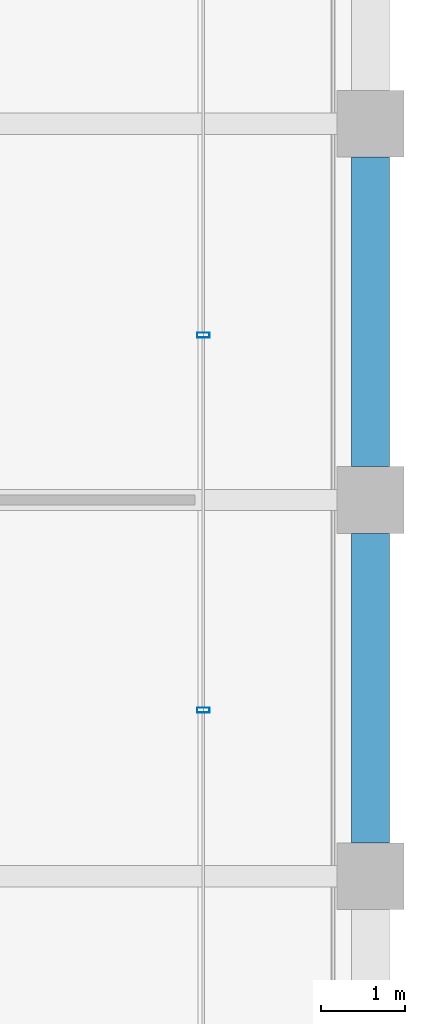
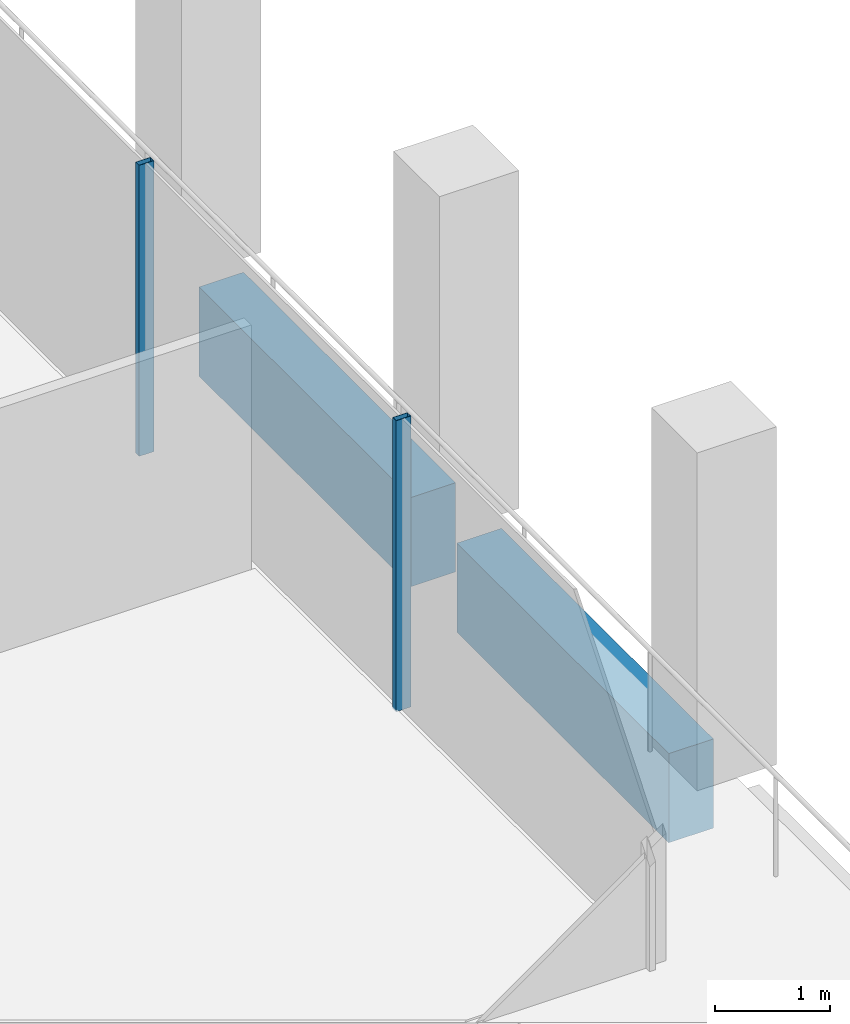
# One storey, part 15 of 30: 2 beams, 2 members, 1 element without a shape of its own.
"""IFC4 building model written with IfcOpenShell, lengths in metres."""

from ifc_helpers import new_model, si_unit, direction, frame, origin, origin_2d, place, context, subcontext, project, spatial, rectangle, hollow_rectangle, extrude, material, material_profile, profile_set, type_object, element, aggregate, save


model = new_model("IFC4")

# Units and contexts
model_context = context("Model", 3, precision=1e-05, world=origin(), true_north=direction((0.0, 1.0)))
body_context = subcontext(model_context, "Body", "Model", "MODEL_VIEW")
ifc_project = project(units=[si_unit("LENGTHUNIT", "METRE"), si_unit("AREAUNIT", "SQUARE_METRE"), si_unit("VOLUMEUNIT", "CUBIC_METRE"), si_unit("PLANEANGLEUNIT", "RADIAN"), si_unit("MASSUNIT", "GRAM", prefix="KILO")], contexts=[model_context])

# Site, building, storey
site_placement = place(None, origin())
site = spatial("IfcSite", under=ifc_project, at=site_placement, CompositionType="ELEMENT")
building_placement = place(site_placement, origin())
building = spatial("IfcBuilding", under=site, at=building_placement, Name="Altepetl Exchange Towers", CompositionType="ELEMENT")
storey_placement = place(building_placement, frame((0.0, 0.0, 242.39990234375)))
storey = spatial("IfcBuildingStorey", under=building, at=storey_placement, Name="L62", CompositionType="ELEMENT", Elevation=242.39990234375)

# Curtain wall, members
ifc_material_1 = material(Name="Aluminium 6063-T6 glazing", Category="aluminium")
curtain_wall_type = type_object("IfcCurtainWallType", Name="Loggia glazing system", PredefinedType="NOTDEFINED", material=ifc_material_1)
curtain_wall_placement = place(storey_placement, origin())
curtain_wall = element("IfcCurtainWall", 1, at=curtain_wall_placement, inside=storey, type_object=curtain_wall_type, Name="CW1 run", PredefinedType="NOTDEFINED")
ifc_material_2 = material(Name="Aluminium 6063-T6", Category="aluminium")
ifc_material_profile_1 = material_profile(ifc_material_2, hollow_rectangle(XDim=0.06005859375, YDim=0.14990234375, WallThickness=0.0029296875, at=origin_2d()), Name="Mullion 60x150 aluminium")
ifc_profile_set_1 = profile_set([ifc_material_profile_1], Name="Aluminium 6063-T6")
member_type = type_object("IfcMemberType", Name="Mullion 60x150 aluminium", PredefinedType="MULLION", material=ifc_profile_set_1)
member_1_placement = place(storey_placement, frame((70.0, 37.986083984375, 0.0), z_axis=(0.0, 0.0, 1.0), x_axis=(0.0, 1.0, 0.0)))
member_1 = element("IfcMember", 2, at=member_1_placement, type_object=member_type, Name="MU1 mullion", PredefinedType="MULLION", context=body_context, shape_type="SweptSolid", body=[
    extrude(hollow_rectangle(XDim=0.06005859375, YDim=0.14990234375, WallThickness=0.0029296875, at=origin_2d()), origin(), (0.0, 0.0, 1.0), 3.10009765625),
])
member_2_placement = place(storey_placement, frame((70.0, 42.471923828125, 0.0), z_axis=(0.0, 0.0, 1.0), x_axis=(0.0, 1.0, 0.0)))
member_2 = element("IfcMember", 3, at=member_2_placement, type_object=member_type, Name="MU1 mullion", PredefinedType="MULLION", context=body_context, shape_type="SweptSolid", body=[
    extrude(hollow_rectangle(XDim=0.06005859375, YDim=0.14990234375, WallThickness=0.0029296875, at=origin_2d()), origin(), (0.0, 0.0, 1.0), 3.10009765625),
])
aggregate(curtain_wall, [member_1, member_2])

# Beams
ifc_material_3 = material(Name="Concrete C50/60 precast with cantera amarilla facing", Category="concrete")
ifc_material_profile_2 = material_profile(ifc_material_3, rectangle(XDim=0.449951171875, YDim=0.949951171875, at=origin_2d()), Name="450 x 950")
ifc_profile_set_2 = profile_set([ifc_material_profile_2], Name="Concrete C50/60 precast with cantera amarilla facing")
beam_type = type_object("IfcBeamType", Name="Spandrel beam 450x950 cantera amarilla", PredefinedType="SPANDREL", material=ifc_profile_set_2)
for number, where, z_axis, x_axis, name in (
    (4, (72.0, 36.39990234375, -0.625), (0.0, 1.0, 0.0), (-1.0, 0.0, 0.0), "sp:A:L62:013"),
    (5, (72.0, 40.89990234375, -0.625), (0.0, 1.0, 0.0), (-1.0, 0.0, 0.0), "sp:A:L62:014"),
):
    element("IfcBeam", number, at=place(storey_placement, frame(where, z_axis=z_axis, x_axis=x_axis)), inside=storey, type_object=beam_type, Name=name, PredefinedType="SPANDREL", context=body_context, shape_type="SweptSolid", body=[
        extrude(rectangle(XDim=0.449951171875, YDim=0.949951171875, at=origin_2d()), origin(), (0.0, 0.0, 1.0), 3.7001953125),
    ])

save(model, "model.ifc")
